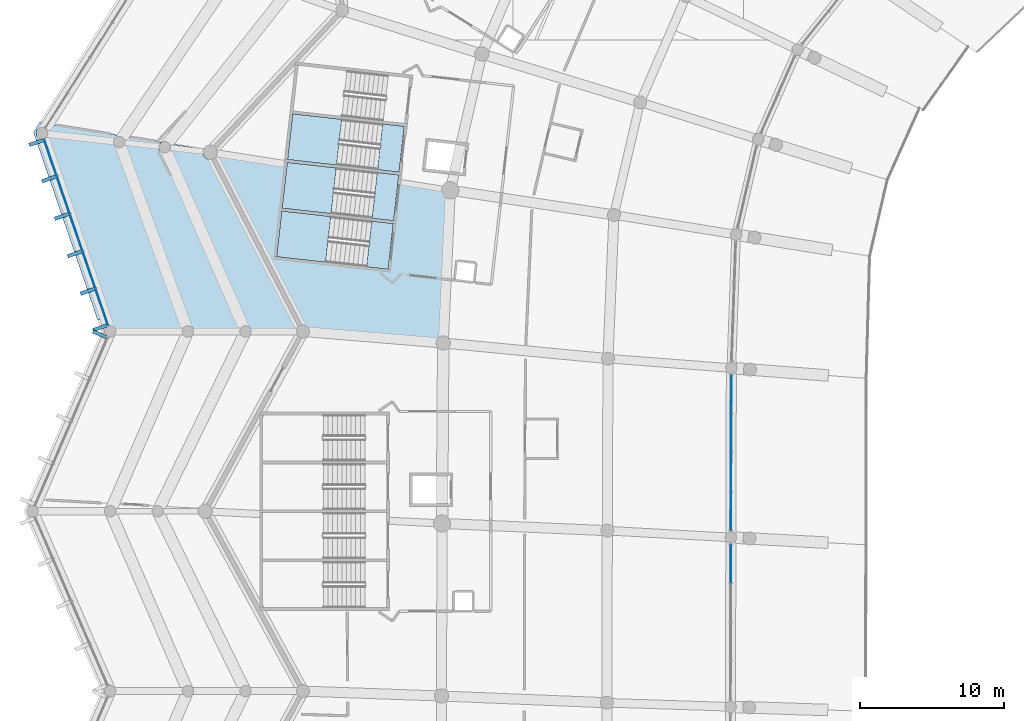
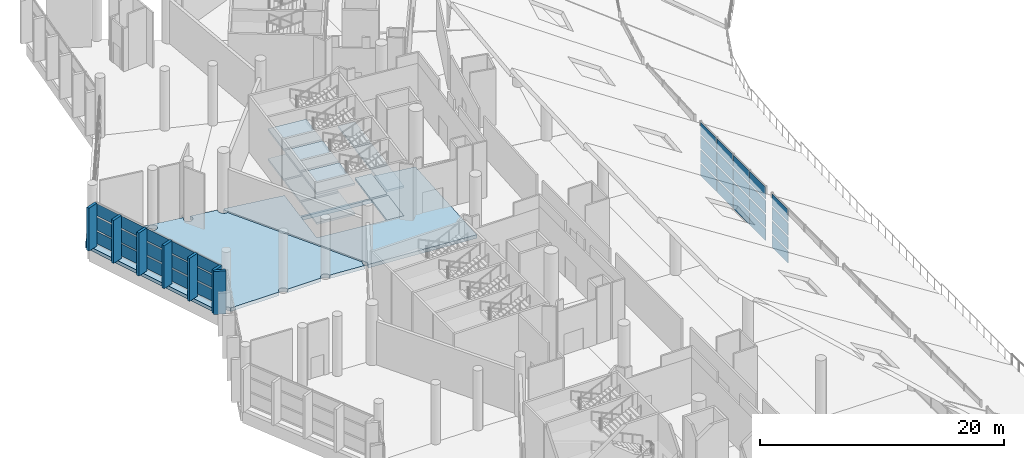
# One storey, part 119 of 249: 42 plates, 13 slabs, 6 elements without a shape of their own.
"""IFC4 building model written with IfcOpenShell, lengths in metres."""

import ifcopenshell
import ifcopenshell.guid

model = None  # the IFC model being written
_history = None  # IfcOwnerHistory: only IFC2X3 demands one
_inside = {}  # id of a spatial element -> (the spatial element, [elements in it])
_under = {}  # id of a project, library or spatial element -> (it, [spatial elements below it])
_declared = {}  # id of a project -> (the project, [libraries it declares])
_typed = {}  # id of a type object -> (the type object, [elements of that type])
_made_of = {}  # id of a material, layer set ... -> (it, [elements and type objects made of it])


def new_model(schema):
    """Start an empty IFC model of exactly this schema.

    Asked for "IFC4X3", IfcOpenShell would pick the latest addendum, in which some entities
    have other attributes; the version numbers below select the first issue.
    IFC2X3 requires an IfcOwnerHistory on every rooted entity: one is made here for all.
    """
    global model, _history
    if schema == "IFC4X3":
        model = ifcopenshell.file(schema_version=(4, 3, 0, 0))
    else:
        model = ifcopenshell.file(schema=schema)
    _inside.clear()
    _under.clear()
    _declared.clear()
    _typed.clear()
    _made_of.clear()
    _history = None
    if model.schema == "IFC2X3":
        org = make("IfcOrganization", Name="unknown")
        user = make(
            "IfcPersonAndOrganization",
            ThePerson=make("IfcPerson", FamilyName="unknown"),
            TheOrganization=org,
        )
        app = make(
            "IfcApplication",
            ApplicationDeveloper=org,
            Version="unknown",
            ApplicationFullName="unknown",
            ApplicationIdentifier="unknown",
        )
        _history = make(
            "IfcOwnerHistory",
            OwningUser=user,
            OwningApplication=app,
            ChangeAction="ADDED",
            CreationDate=0,
        )
    return model


def make(cls, **values):
    """One entity of the class cls with the attributes given. An attribute that is None is left unset."""
    return model.create_entity(
        cls, **{name: value for name, value in values.items() if value is not None}
    )


def rooted(cls, **values):
    """An entity with a GlobalId (a new one), such as an element, a storey or a relation."""
    return make(cls, GlobalId=ifcopenshell.guid.new(), OwnerHistory=_history, **values)


def si_unit(unit_type, name, prefix=None):
    """IfcSIUnit, for example si_unit("LENGTHUNIT", "METRE", prefix="MILLI")."""
    return make("IfcSIUnit", UnitType=unit_type, Prefix=prefix, Name=name)


def assignment(units):
    """IfcUnitAssignment: the units of a project."""
    return None if units is None else make("IfcUnitAssignment", Units=units)


def point(xyz):
    """IfcCartesianPoint."""
    return None if xyz is None else make("IfcCartesianPoint", Coordinates=xyz)


def direction(xyz):
    """IfcDirection."""
    return None if xyz is None else make("IfcDirection", DirectionRatios=xyz)


def frame(location, z_axis=None, x_axis=None):
    """IfcAxis2Placement3D, a coordinate frame: its origin and axes. An axis left out is left unset."""
    return make(
        "IfcAxis2Placement3D",
        Location=point(location),
        Axis=direction(z_axis),
        RefDirection=direction(x_axis),
    )


def frame_2d(location, x_axis=None):
    """IfcAxis2Placement2D, a coordinate frame in the plane: its origin and x axis."""
    return make(
        "IfcAxis2Placement2D", Location=point(location), RefDirection=direction(x_axis)
    )


def origin():
    """The frame at (0, 0, 0) with its axes left unset."""
    return frame((0.0, 0.0, 0.0))


def origin_2d():
    """The frame at (0, 0) in the plane with its x axis left unset."""
    return frame_2d((0.0, 0.0))


def place(relative_to, where):
    """IfcLocalPlacement: puts the frame where relative to a parent placement (None: the world)."""
    return make(
        "IfcLocalPlacement", PlacementRelTo=relative_to, RelativePlacement=where
    )


def context(
    kind, dimensions, precision=None, world=None, true_north=None, identifier=None
):
    """IfcGeometricRepresentationContext, for example the 3D "Model" context."""
    return make(
        "IfcGeometricRepresentationContext",
        ContextIdentifier=identifier,
        ContextType=kind,
        CoordinateSpaceDimension=dimensions,
        Precision=precision,
        WorldCoordinateSystem=world,
        TrueNorth=true_north,
    )


def subcontext(parent, identifier, kind, view, scale=None):
    """IfcGeometricRepresentationSubContext, for example "Body" below "Model"."""
    return make(
        "IfcGeometricRepresentationSubContext",
        ContextIdentifier=identifier,
        ContextType=kind,
        ParentContext=parent,
        TargetScale=scale,
        TargetView=view,
    )


def project(units=None, contexts=None):
    """IfcProject with its units and contexts."""
    return rooted(
        "IfcProject",
        Name="project",
        RepresentationContexts=contexts,
        UnitsInContext=assignment(units),
    )


def spatial(cls, under=None, at=None, **own):
    """A site, building, storey or space (cls), placed at a placement, below another one or the project."""
    s = rooted(cls, ObjectPlacement=at, **own)
    if under is not None:
        _under.setdefault(under.id(), (under, []))[1].append(s)
    return s


def polyline(points):
    """IfcPolyline through the points."""
    return make("IfcPolyline", Points=[point(p) for p in points])


def profile(cls, at=None, kind="AREA", **sizes):
    """A parametric profile (cls). Its sizes go by their IFC names, for example OverallWidth=200.0."""
    return make(cls, ProfileType=kind, Position=at, **sizes)


def rectangle(**sizes):
    """IfcRectangleProfileDef."""
    return profile("IfcRectangleProfileDef", **sizes)


def outline(outer, holes=None, kind="AREA"):
    """IfcArbitraryClosedProfileDef: a profile drawn as a closed curve; with holes, ...WithVoids."""
    if holes is None:
        return make("IfcArbitraryClosedProfileDef", ProfileType=kind, OuterCurve=outer)
    return make(
        "IfcArbitraryProfileDefWithVoids",
        ProfileType=kind,
        OuterCurve=outer,
        InnerCurves=holes,
    )


def extrude(swept, where, along, depth):
    """IfcExtrudedAreaSolid: the profile swept, set in the frame where, extruded along a direction by depth."""
    return make(
        "IfcExtrudedAreaSolid",
        SweptArea=swept,
        Position=where,
        ExtrudedDirection=direction(along),
        Depth=depth,
    )


def shape(context_of_items, identifier, shape_type, items):
    """IfcShapeRepresentation: the items that make up one representation, for example the "Body"."""
    return make(
        "IfcShapeRepresentation",
        ContextOfItems=context_of_items,
        RepresentationIdentifier=identifier,
        RepresentationType=shape_type,
        Items=items,
    )


def material(Name=None, Category=None):
    """IfcMaterial."""
    return make("IfcMaterial", Name=Name, Category=Category)


def layer(
    of_material, thickness, ventilated=None, Name=None, Category=None, Priority=None
):
    """IfcMaterialLayer: one layer of a wall or slab, of a material (None: an air gap)."""
    return make(
        "IfcMaterialLayer",
        Material=of_material,
        LayerThickness=thickness,
        IsVentilated=ventilated,
        Name=Name,
        Category=Category,
        Priority=Priority,
    )


def layer_set(layers, Name=None):
    """IfcMaterialLayerSet."""
    return make("IfcMaterialLayerSet", MaterialLayers=layers, LayerSetName=Name)


def made_of(thing, what):
    """Note that an element or type object is made of a material, layer set ...; save() writes the relation."""
    if what is not None:
        _made_of.setdefault(what.id(), (what, []))[1].append(thing)
    return thing


def type_object(cls, material=None, **own):
    """A type object (cls), such as IfcWallType, which elements share."""
    return made_of(rooted(cls, **own), material)


def element(
    cls,
    number,
    at=None,
    inside=None,
    cuts=None,
    type_object=None,
    material=None,
    context=None,
    identifier="Body",
    shape_type=None,
    held_by="IfcProductDefinitionShape",
    body=None,
    shapes=None,
    **own,
):
    """One element of the class cls, such as IfcWall. Its Tag is "e" and its number.

    at: its placement. inside: the storey or other place that contains it. cuts: it is an
    opening in that element (IfcRelVoidsElement). A single representation is given by context,
    identifier, shape_type and body (its items); several are given by shapes. held_by: the class
    of the entity that holds the representations. save() writes the other relations.
    """
    e = rooted(cls, Tag="e%d" % number, ObjectPlacement=at, **own)
    if body is not None:
        shapes = [shape(context, identifier, shape_type, body)]
    if shapes is not None:
        e.Representation = make(held_by, Representations=shapes)
    if inside is not None:
        _inside.setdefault(inside.id(), (inside, []))[1].append(e)
    if cuts is not None:
        rooted(
            "IfcRelVoidsElement", RelatingBuildingElement=cuts, RelatedOpeningElement=e
        )
    if type_object is not None:
        _typed.setdefault(type_object.id(), (type_object, []))[1].append(e)
    return made_of(e, material)


def aggregate(whole, parts):
    """IfcRelAggregates: a whole, such as a stair, and the parts it consists of."""
    return rooted("IfcRelAggregates", RelatingObject=whole, RelatedObjects=parts)


def save(model, path):
    """Write the relations noted so far, then the file.

    IfcRelAggregates (storeys below a building ...), IfcRelContainedInSpatialStructure (elements
    in a storey), IfcRelDefinesByType, IfcRelAssociatesMaterial and IfcRelDeclares: one each for
    every whole, place, type object, material and project.
    """
    for whole, parts in _under.values():
        aggregate(whole, parts)
    for where, things in _inside.values():
        rooted(
            "IfcRelContainedInSpatialStructure",
            RelatedElements=things,
            RelatingStructure=where,
        )
    for kind, things in _typed.values():
        rooted("IfcRelDefinesByType", RelatedObjects=things, RelatingType=kind)
    for what, things in _made_of.values():
        rooted("IfcRelAssociatesMaterial", RelatedObjects=things, RelatingMaterial=what)
    for by, libraries in _declared.values():
        rooted("IfcRelDeclares", RelatingContext=by, RelatedDefinitions=libraries)
    model.write(path)


model = new_model("IFC4")

# Units and contexts
model_context = context("Model", 3, precision=1e-05, world=origin(), true_north=direction((0.0, 1.0)))
body_context = subcontext(model_context, "Body", "Model", "MODEL_VIEW")
ifc_project = project(units=[si_unit("LENGTHUNIT", "METRE"), si_unit("AREAUNIT", "SQUARE_METRE"), si_unit("VOLUMEUNIT", "CUBIC_METRE"), si_unit("PLANEANGLEUNIT", "RADIAN"), si_unit("MASSUNIT", "GRAM", prefix="KILO")], contexts=[model_context])

# Site, building, storey
site_placement = place(None, origin())
site = spatial("IfcSite", under=ifc_project, at=site_placement, CompositionType="ELEMENT")
building_placement = place(site_placement, origin())
building = spatial("IfcBuilding", under=site, at=building_placement, Name="Meseta Stadium", CompositionType="ELEMENT")
storey_placement = place(building_placement, frame((0.0, 0.0, 12.0)))
storey = spatial("IfcBuildingStorey", under=building, at=storey_placement, Name="L02", CompositionType="ELEMENT", Elevation=12.0)

# Curtain wall, plates
ifc_material_1 = material(Name="Aluminium", Category="aluminium")
ifc_layer_1 = layer(ifc_material_1, 0.199951171875)
ifc_layer_set_1 = layer_set([ifc_layer_1], Name="Suite glazing curtain wall")
curtain_wall_type_1 = type_object("IfcCurtainWallType", Name="Suite glazing curtain wall", PredefinedType="NOTDEFINED", material=ifc_layer_set_1)
curtain_wall_1_placement = place(storey_placement, origin())
curtain_wall_1 = element("IfcCurtainWall", 1, at=curtain_wall_1_placement, inside=storey, type_object=curtain_wall_type_1, Name="Suite glazing bay 29", PredefinedType="NOTDEFINED")
ifc_material_2 = material(Name="Glass", Category="glass")
ifc_layer_2 = layer(ifc_material_2, 0.035888671875)
ifc_layer_set_2 = layer_set([ifc_layer_2], Name="CW glass panel 36")
plate_type_1 = type_object("IfcPlateType", Name="CW glass panel 36", PredefinedType="CURTAIN_PANEL", material=ifc_layer_set_2)
plate_1_placement = place(storey_placement, frame((-64.835205078125, 39.357421875, 0.14990234375), z_axis=(0.0, 0.0, 1.0), x_axis=(-0.002910007458, -0.999995765919, 0.0)))
plate_1 = element("IfcPlate", 2, at=plate_1_placement, type_object=plate_type_1, Name="CWS panel 1.1", PredefinedType="CURTAIN_PANEL", context=body_context, shape_type="SweptSolid", body=[
    extrude(rectangle(XDim=2.61279296875, YDim=0.035888671875, at=origin_2d()), origin(), (0.0, 0.0, 1.0), 1.1875),
])
plate_2_placement = place(storey_placement, frame((-64.835205078125, 39.357421875, 1.4873046875), z_axis=(0.0, 0.0, 1.0), x_axis=(-0.002910007458, -0.999995765919, 0.0)))
plate_2 = element("IfcPlate", 3, at=plate_2_placement, type_object=plate_type_1, Name="CWS panel 1.2", PredefinedType="CURTAIN_PANEL", context=body_context, shape_type="SweptSolid", body=[
    extrude(rectangle(XDim=2.61279296875, YDim=0.035888671875, at=origin_2d()), origin(), (0.0, 0.0, 1.0), 1.262451171875),
])
plate_3_placement = place(storey_placement, frame((-64.835205078125, 39.357421875, 2.89990234375), z_axis=(0.0, 0.0, 1.0), x_axis=(-0.002910007458, -0.999995765919, 0.0)))
plate_3 = element("IfcPlate", 4, at=plate_3_placement, type_object=plate_type_1, Name="CWS panel 1.3", PredefinedType="CURTAIN_PANEL", context=body_context, shape_type="SweptSolid", body=[
    extrude(rectangle(XDim=2.61279296875, YDim=0.035888671875, at=origin_2d()), origin(), (0.0, 0.0, 1.0), 1.262451171875),
])
plate_4_placement = place(storey_placement, frame((-64.835205078125, 39.357421875, 4.3125), z_axis=(0.0, 0.0, 1.0), x_axis=(-0.002910007458, -0.999995765919, 0.0)))
plate_4 = element("IfcPlate", 5, at=plate_4_placement, type_object=plate_type_1, Name="CWS panel 1.4", PredefinedType="CURTAIN_PANEL", context=body_context, shape_type="SweptSolid", body=[
    extrude(rectangle(XDim=2.61279296875, YDim=0.035888671875, at=origin_2d()), origin(), (0.0, 0.0, 1.0), 1.1875),
])
plate_5_placement = place(storey_placement, frame((-64.843017578125, 36.669677734375, 0.14990234375), z_axis=(0.0, 0.0, 1.0), x_axis=(-0.002910007458, -0.999995765919, 0.0)))
plate_5 = element("IfcPlate", 6, at=plate_5_placement, type_object=plate_type_1, Name="CWS panel 2.1", PredefinedType="CURTAIN_PANEL", context=body_context, shape_type="SweptSolid", body=[
    extrude(rectangle(XDim=2.642822265625, YDim=0.035888671875, at=origin_2d()), origin(), (0.0, 0.0, 1.0), 1.1875),
])
plate_6_placement = place(storey_placement, frame((-64.843017578125, 36.669677734375, 1.4873046875), z_axis=(0.0, 0.0, 1.0), x_axis=(-0.002910007458, -0.999995765919, 0.0)))
plate_6 = element("IfcPlate", 7, at=plate_6_placement, type_object=plate_type_1, Name="CWS panel 2.2", PredefinedType="CURTAIN_PANEL", context=body_context, shape_type="SweptSolid", body=[
    extrude(rectangle(XDim=2.642822265625, YDim=0.035888671875, at=origin_2d()), origin(), (0.0, 0.0, 1.0), 1.262451171875),
])
plate_7_placement = place(storey_placement, frame((-64.843017578125, 36.669677734375, 2.89990234375), z_axis=(0.0, 0.0, 1.0), x_axis=(-0.002910007458, -0.999995765919, 0.0)))
plate_7 = element("IfcPlate", 8, at=plate_7_placement, type_object=plate_type_1, Name="CWS panel 2.3", PredefinedType="CURTAIN_PANEL", context=body_context, shape_type="SweptSolid", body=[
    extrude(rectangle(XDim=2.642822265625, YDim=0.035888671875, at=origin_2d()), origin(), (0.0, 0.0, 1.0), 1.262451171875),
])
plate_8_placement = place(storey_placement, frame((-64.843017578125, 36.669677734375, 4.3125), z_axis=(0.0, 0.0, 1.0), x_axis=(-0.002910007458, -0.999995765919, 0.0)))
plate_8 = element("IfcPlate", 9, at=plate_8_placement, type_object=plate_type_1, Name="CWS panel 2.4", PredefinedType="CURTAIN_PANEL", context=body_context, shape_type="SweptSolid", body=[
    extrude(rectangle(XDim=2.642822265625, YDim=0.035888671875, at=origin_2d()), origin(), (0.0, 0.0, 1.0), 1.1875),
])
plate_9_placement = place(storey_placement, frame((-64.85107421875, 33.967041015625, 0.14990234375), z_axis=(0.0, 0.0, 1.0), x_axis=(-0.002910007458, -0.999995765919, 0.0)))
plate_9 = element("IfcPlate", 10, at=plate_9_placement, type_object=plate_type_1, Name="CWS panel 3.1", PredefinedType="CURTAIN_PANEL", context=body_context, shape_type="SweptSolid", body=[
    extrude(rectangle(XDim=2.642822265625, YDim=0.035888671875, at=origin_2d()), origin(), (0.0, 0.0, 1.0), 1.1875),
])
plate_10_placement = place(storey_placement, frame((-64.85107421875, 33.967041015625, 1.4873046875), z_axis=(0.0, 0.0, 1.0), x_axis=(-0.002910007458, -0.999995765919, 0.0)))
plate_10 = element("IfcPlate", 11, at=plate_10_placement, type_object=plate_type_1, Name="CWS panel 3.2", PredefinedType="CURTAIN_PANEL", context=body_context, shape_type="SweptSolid", body=[
    extrude(rectangle(XDim=2.642822265625, YDim=0.035888671875, at=origin_2d()), origin(), (0.0, 0.0, 1.0), 1.262451171875),
])
plate_11_placement = place(storey_placement, frame((-64.85107421875, 33.967041015625, 2.89990234375), z_axis=(0.0, 0.0, 1.0), x_axis=(-0.002910007458, -0.999995765919, 0.0)))
plate_11 = element("IfcPlate", 12, at=plate_11_placement, type_object=plate_type_1, Name="CWS panel 3.3", PredefinedType="CURTAIN_PANEL", context=body_context, shape_type="SweptSolid", body=[
    extrude(rectangle(XDim=2.642822265625, YDim=0.035888671875, at=origin_2d()), origin(), (0.0, 0.0, 1.0), 1.262451171875),
])
plate_12_placement = place(storey_placement, frame((-64.85107421875, 33.967041015625, 4.3125), z_axis=(0.0, 0.0, 1.0), x_axis=(-0.002910007458, -0.999995765919, 0.0)))
plate_12 = element("IfcPlate", 13, at=plate_12_placement, type_object=plate_type_1, Name="CWS panel 3.4", PredefinedType="CURTAIN_PANEL", context=body_context, shape_type="SweptSolid", body=[
    extrude(rectangle(XDim=2.642822265625, YDim=0.035888671875, at=origin_2d()), origin(), (0.0, 0.0, 1.0), 1.1875),
])
plate_13_placement = place(storey_placement, frame((-64.85888671875, 31.279296875, 0.14990234375), z_axis=(0.0, 0.0, 1.0), x_axis=(-0.002910007458, -0.999995765919, 0.0)))
plate_13 = element("IfcPlate", 14, at=plate_13_placement, type_object=plate_type_1, Name="CWS panel 4.1", PredefinedType="CURTAIN_PANEL", context=body_context, shape_type="SweptSolid", body=[
    extrude(rectangle(XDim=2.61279296875, YDim=0.035888671875, at=origin_2d()), origin(), (0.0, 0.0, 1.0), 1.1875),
])
plate_14_placement = place(storey_placement, frame((-64.85888671875, 31.279296875, 1.4873046875), z_axis=(0.0, 0.0, 1.0), x_axis=(-0.002910007458, -0.999995765919, 0.0)))
plate_14 = element("IfcPlate", 15, at=plate_14_placement, type_object=plate_type_1, Name="CWS panel 4.2", PredefinedType="CURTAIN_PANEL", context=body_context, shape_type="SweptSolid", body=[
    extrude(rectangle(XDim=2.61279296875, YDim=0.035888671875, at=origin_2d()), origin(), (0.0, 0.0, 1.0), 1.262451171875),
])
plate_15_placement = place(storey_placement, frame((-64.85888671875, 31.279296875, 2.89990234375), z_axis=(0.0, 0.0, 1.0), x_axis=(-0.002910007458, -0.999995765919, 0.0)))
plate_15 = element("IfcPlate", 16, at=plate_15_placement, type_object=plate_type_1, Name="CWS panel 4.3", PredefinedType="CURTAIN_PANEL", context=body_context, shape_type="SweptSolid", body=[
    extrude(rectangle(XDim=2.61279296875, YDim=0.035888671875, at=origin_2d()), origin(), (0.0, 0.0, 1.0), 1.262451171875),
])
plate_16_placement = place(storey_placement, frame((-64.85888671875, 31.279296875, 4.3125), z_axis=(0.0, 0.0, 1.0), x_axis=(-0.002910007458, -0.999995765919, 0.0)))
plate_16 = element("IfcPlate", 17, at=plate_16_placement, type_object=plate_type_1, Name="CWS panel 4.4", PredefinedType="CURTAIN_PANEL", context=body_context, shape_type="SweptSolid", body=[
    extrude(rectangle(XDim=2.61279296875, YDim=0.035888671875, at=origin_2d()), origin(), (0.0, 0.0, 1.0), 1.1875),
])
aggregate(curtain_wall_1, [plate_1, plate_2, plate_3, plate_4, plate_5, plate_6, plate_7, plate_8, plate_9, plate_10, plate_11, plate_12, plate_13, plate_14, plate_15, plate_16])

curtain_wall_2_placement = place(storey_placement, origin())
curtain_wall_2 = element("IfcCurtainWall", 18, at=curtain_wall_2_placement, inside=storey, type_object=curtain_wall_type_1, Name="Suite glazing bay 30", PredefinedType="NOTDEFINED")
plate_17_placement = place(storey_placement, frame((-64.86767578125, 27.5869140625, 0.14990234375), z_axis=(0.0, 0.0, 1.0), x_axis=(-0.001946685349, -0.999998105206, 0.0)))
plate_17 = element("IfcPlate", 19, at=plate_17_placement, type_object=plate_type_1, Name="CWS panel 1.1", PredefinedType="CURTAIN_PANEL", context=body_context, shape_type="SweptSolid", body=[
    extrude(rectangle(XDim=2.613525390625, YDim=0.035888671875, at=origin_2d()), origin(), (0.0, 0.0, 1.0), 1.1875),
])
plate_18_placement = place(storey_placement, frame((-64.86767578125, 27.5869140625, 1.4873046875), z_axis=(0.0, 0.0, 1.0), x_axis=(-0.001946685349, -0.999998105206, 0.0)))
plate_18 = element("IfcPlate", 20, at=plate_18_placement, type_object=plate_type_1, Name="CWS panel 1.2", PredefinedType="CURTAIN_PANEL", context=body_context, shape_type="SweptSolid", body=[
    extrude(rectangle(XDim=2.613525390625, YDim=0.035888671875, at=origin_2d()), origin(), (0.0, 0.0, 1.0), 1.262451171875),
])
plate_19_placement = place(storey_placement, frame((-64.86767578125, 27.5869140625, 2.89990234375), z_axis=(0.0, 0.0, 1.0), x_axis=(-0.001946685349, -0.999998105206, 0.0)))
plate_19 = element("IfcPlate", 21, at=plate_19_placement, type_object=plate_type_1, Name="CWS panel 1.3", PredefinedType="CURTAIN_PANEL", context=body_context, shape_type="SweptSolid", body=[
    extrude(rectangle(XDim=2.613525390625, YDim=0.035888671875, at=origin_2d()), origin(), (0.0, 0.0, 1.0), 1.262451171875),
])
plate_20_placement = place(storey_placement, frame((-64.86767578125, 27.5869140625, 4.3125), z_axis=(0.0, 0.0, 1.0), x_axis=(-0.001946685349, -0.999998105206, 0.0)))
plate_20 = element("IfcPlate", 22, at=plate_20_placement, type_object=plate_type_1, Name="CWS panel 1.4", PredefinedType="CURTAIN_PANEL", context=body_context, shape_type="SweptSolid", body=[
    extrude(rectangle(XDim=2.613525390625, YDim=0.035888671875, at=origin_2d()), origin(), (0.0, 0.0, 1.0), 1.1875),
])
aggregate(curtain_wall_2, [plate_17, plate_18, plate_19, plate_20])

# Slabs
ifc_material_3 = material(Name="Concrete C40/50", Category="concrete")
ifc_layer_3 = layer(ifc_material_3, 0.35009765625)
ifc_layer_set_3 = layer_set([ifc_layer_3], Name="Floor slab 350")
slab_type_1 = type_object("IfcSlabType", Name="Floor slab 350", PredefinedType="FLOOR", material=ifc_layer_set_3)
slab_1_placement = place(storey_placement, frame((0.0, 0.0, -0.35009765625)))
element("IfcSlab", 23, at=slab_1_placement, inside=storey, type_object=slab_type_1, Name="Floor slab L02 sector 28 panel 03", PredefinedType="FLOOR", context=body_context, shape_type="SweptSolid", body=[
    extrude(outline(polyline([(-87.98779296875, 54.252197265625), (-88.30419921875, 51.44580078125), (-96.05517578125, 52.319091796875), (-95.697509765625, 55.493896484375), (-100.927490234375, 56.336181640625), (-101.0517578125, 56.202880859375), (-94.60009765625, 43.75), (-94.736328125, 43.49951171875), (-84.85546875, 42.7412109375), (-84.85400390625, 42.948486328125), (-84.36328125, 53.5654296875), (-84.34033203125, 53.664794921875), (-87.98779296875, 54.252197265625)]), holes=[polyline([(-88.684814453125, 48.06689453125), (-96.435791015625, 48.9404296875), (-96.077392578125, 52.1201171875), (-88.326416015625, 51.246826171875), (-88.684814453125, 48.06689453125)])]), origin(), (0.0, 0.0, 1.0), 0.35009765625),
])
slab_2_placement = place(storey_placement, frame((0.0, 0.0, -0.35009765625)))
element("IfcSlab", 24, at=slab_2_placement, inside=storey, type_object=slab_type_1, Name="Ring floor slab L02 4 part 1 panel 03", PredefinedType="FLOOR", context=body_context, shape_type="SweptSolid", body=[
    extrude(outline(polyline([(-98.210205078125, 43.8544921875), (-98.196533203125, 43.75), (-98.00048828125, 43.75), (-94.989990234375, 43.51904296875), (-94.9931640625, 43.523193359375), (-95.038330078125, 43.632568359375), (-95.053955078125, 43.75), (-95.038330078125, 43.867431640625), (-94.9931640625, 43.976806640625), (-94.929443359375, 44.059814453125), (-100.965087890625, 55.7099609375), (-101.0517578125, 55.698486328125), (-101.18212890625, 55.7158203125), (-101.3037109375, 55.76611328125), (-101.408203125, 55.84619140625), (-101.48828125, 55.95068359375), (-101.538818359375, 56.072265625), (-101.555908203125, 56.202880859375), (-101.538818359375, 56.33349609375), (-101.49951171875, 56.42822265625), (-103.90478515625, 56.815673828125), (-103.862548828125, 56.760498046875), (-103.822265625, 56.663330078125), (-103.80859375, 56.558837890625), (-103.822265625, 56.45458984375), (-103.862548828125, 56.357177734375), (-103.9267578125, 56.273681640625), (-104.01025390625, 56.20947265625), (-104.107666015625, 56.169189453125), (-104.2119140625, 56.155517578125), (-104.31640625, 56.169189453125), (-104.413818359375, 56.20947265625), (-104.497314453125, 56.273681640625), (-104.561279296875, 56.357177734375), (-104.601806640625, 56.45458984375), (-104.615478515625, 56.558837890625), (-104.601806640625, 56.663330078125), (-104.561279296875, 56.760498046875), (-104.497314453125, 56.84423828125), (-104.42529296875, 56.8994140625), (-112.906982421875, 58.265380859375), (-113.334716796875, 57.5869140625), (-108.885986328125, 44.58544921875), (-108.271240234375, 44.538330078125), (-108.13037109375, 44.12890625), (-108.1044921875, 44.1396484375), (-108.0, 44.153564453125), (-107.8955078125, 44.1396484375), (-107.79833984375, 44.099365234375), (-107.714599609375, 44.035400390625), (-107.650634765625, 43.95166015625), (-107.6103515625, 43.8544921875), (-107.596435546875, 43.75), (-103.00341796875, 43.75), (-102.98974609375, 43.8544921875), (-102.949462890625, 43.95166015625), (-102.88525390625, 44.035400390625), (-102.8017578125, 44.099365234375), (-102.704345703125, 44.1396484375), (-102.60009765625, 44.153564453125), (-102.49560546875, 44.1396484375), (-102.398193359375, 44.099365234375), (-102.314697265625, 44.035400390625), (-102.25048828125, 43.95166015625), (-102.210205078125, 43.8544921875), (-102.196533203125, 43.75), (-99.00341796875, 43.75), (-98.98974609375, 43.8544921875), (-98.949462890625, 43.95166015625), (-98.88525390625, 44.035400390625), (-98.8017578125, 44.099365234375), (-98.704345703125, 44.1396484375), (-98.60009765625, 44.153564453125), (-98.49560546875, 44.1396484375), (-98.398193359375, 44.099365234375), (-98.314697265625, 44.035400390625), (-98.25048828125, 43.95166015625), (-98.210205078125, 43.8544921875)]), holes=[polyline([(-107.57421875, 56.565673828125), (-107.65771484375, 56.629638671875), (-107.7216796875, 56.71337890625), (-107.76220703125, 56.810546875), (-107.77587890625, 56.9150390625), (-107.76220703125, 57.019287109375), (-107.7216796875, 57.11669921875), (-107.65771484375, 57.2001953125), (-107.57421875, 57.264404296875), (-107.476806640625, 57.3046875), (-107.372314453125, 57.318603515625), (-107.267822265625, 57.3046875), (-107.170654296875, 57.264404296875), (-107.087158203125, 57.2001953125), (-107.02294921875, 57.11669921875), (-106.982666015625, 57.019287109375), (-106.968994140625, 56.9150390625), (-106.982666015625, 56.810546875), (-107.02294921875, 56.71337890625), (-107.087158203125, 56.629638671875), (-107.170654296875, 56.565673828125), (-107.267822265625, 56.525390625), (-107.372314453125, 56.51171875), (-107.476806640625, 56.525390625), (-107.57421875, 56.565673828125)]), polyline([(-112.3486328125, 57.415283203125), (-112.388916015625, 57.31787109375), (-112.453125, 57.234375), (-112.53662109375, 57.170166015625), (-112.634033203125, 57.1298828125), (-112.73828125, 57.1162109375), (-112.8427734375, 57.1298828125), (-112.940185546875, 57.170166015625), (-113.023681640625, 57.234375), (-113.087890625, 57.31787109375), (-113.128173828125, 57.415283203125), (-113.141845703125, 57.51953125), (-113.128173828125, 57.6240234375), (-113.087890625, 57.72119140625), (-113.023681640625, 57.804931640625), (-112.940185546875, 57.868896484375), (-112.8427734375, 57.9091796875), (-112.73828125, 57.923095703125), (-112.634033203125, 57.9091796875), (-112.53662109375, 57.868896484375), (-112.453125, 57.804931640625), (-112.388916015625, 57.72119140625), (-112.3486328125, 57.6240234375), (-112.3349609375, 57.51953125), (-112.3486328125, 57.415283203125)])]), origin(), (0.0, 0.0, 1.0), 0.35009765625),
])

# Curtain wall, plates
ifc_material_4 = material(Name="Aluminium", Category="aluminium")
ifc_layer_4 = layer(ifc_material_4, 0.199951171875)
ifc_layer_set_4 = layer_set([ifc_layer_4], Name="Ring shopfront curtain wall")
curtain_wall_type_2 = type_object("IfcCurtainWallType", Name="Ring shopfront curtain wall", PredefinedType="NOTDEFINED", material=ifc_layer_set_4)
curtain_wall_3_placement = place(storey_placement, origin())
curtain_wall_3 = element("IfcCurtainWall", 25, at=curtain_wall_3_placement, inside=storey, type_object=curtain_wall_type_2, Name="Ring glazing L02 F28", PredefinedType="NOTDEFINED")
ifc_material_5 = material(Name="Glass", Category="glass")
ifc_layer_5 = layer(ifc_material_5, 0.035888671875)
ifc_layer_set_5 = layer_set([ifc_layer_5], Name="Ring CW glass panel 36")
plate_type_2 = type_object("IfcPlateType", Name="Ring CW glass panel 36", PredefinedType="CURTAIN_PANEL", material=ifc_layer_set_5)
plate_21_placement = place(storey_placement, frame((-112.155517578125, 55.825927734375, 0.14990234375), z_axis=(0.0, 0.0, 1.0), x_axis=(0.325385990532, -0.945581280042, 0.0)))
plate_21 = element("IfcPlate", 26, at=plate_21_placement, type_object=plate_type_2, Name="CWR1 panel 1.1", PredefinedType="CURTAIN_PANEL", context=body_context, shape_type="SweptSolid", body=[
    extrude(rectangle(XDim=2.662353515625, YDim=0.035888671875, at=origin_2d()), origin(), (0.0, 0.0, 1.0), 1.208251953125),
])
plate_22_placement = place(storey_placement, frame((-112.155517578125, 55.825927734375, 1.50830078125), z_axis=(0.0, 0.0, 1.0), x_axis=(0.325385990532, -0.945581280042, 0.0)))
plate_22 = element("IfcPlate", 27, at=plate_22_placement, type_object=plate_type_2, Name="CWR1 panel 1.2", PredefinedType="CURTAIN_PANEL", context=body_context, shape_type="SweptSolid", body=[
    extrude(rectangle(XDim=2.662353515625, YDim=0.035888671875, at=origin_2d()), origin(), (0.0, 0.0, 1.0), 1.283447265625),
])
plate_23_placement = place(storey_placement, frame((-112.155517578125, 55.825927734375, 2.94189453125), z_axis=(0.0, 0.0, 1.0), x_axis=(0.325385990532, -0.945581280042, 0.0)))
plate_23 = element("IfcPlate", 28, at=plate_23_placement, type_object=plate_type_2, Name="CWR1 panel 1.3", PredefinedType="CURTAIN_PANEL", context=body_context, shape_type="SweptSolid", body=[
    extrude(rectangle(XDim=2.662353515625, YDim=0.035888671875, at=origin_2d()), origin(), (0.0, 0.0, 1.0), 1.208251953125),
])
plate_24_placement = place(storey_placement, frame((-111.264892578125, 53.237548828125, 0.14990234375), z_axis=(0.0, 0.0, 1.0), x_axis=(0.325385990532, -0.945581280042, 0.0)))
plate_24 = element("IfcPlate", 29, at=plate_24_placement, type_object=plate_type_2, Name="CWR1 panel 2.1", PredefinedType="CURTAIN_PANEL", context=body_context, shape_type="SweptSolid", body=[
    extrude(rectangle(XDim=2.6923828125, YDim=0.035888671875, at=origin_2d()), origin(), (0.0, 0.0, 1.0), 1.208251953125),
])
plate_25_placement = place(storey_placement, frame((-111.264892578125, 53.237548828125, 1.50830078125), z_axis=(0.0, 0.0, 1.0), x_axis=(0.325385990532, -0.945581280042, 0.0)))
plate_25 = element("IfcPlate", 30, at=plate_25_placement, type_object=plate_type_2, Name="CWR1 panel 2.2", PredefinedType="CURTAIN_PANEL", context=body_context, shape_type="SweptSolid", body=[
    extrude(rectangle(XDim=2.6923828125, YDim=0.035888671875, at=origin_2d()), origin(), (0.0, 0.0, 1.0), 1.283447265625),
])
plate_26_placement = place(storey_placement, frame((-111.264892578125, 53.237548828125, 2.94189453125), z_axis=(0.0, 0.0, 1.0), x_axis=(0.325385990532, -0.945581280042, 0.0)))
plate_26 = element("IfcPlate", 31, at=plate_26_placement, type_object=plate_type_2, Name="CWR1 panel 2.3", PredefinedType="CURTAIN_PANEL", context=body_context, shape_type="SweptSolid", body=[
    extrude(rectangle(XDim=2.6923828125, YDim=0.035888671875, at=origin_2d()), origin(), (0.0, 0.0, 1.0), 1.208251953125),
])
plate_27_placement = place(storey_placement, frame((-110.369140625, 50.634765625, 0.14990234375), z_axis=(0.0, 0.0, 1.0), x_axis=(0.325385990532, -0.945581280042, 0.0)))
plate_27 = element("IfcPlate", 32, at=plate_27_placement, type_object=plate_type_2, Name="CWR1 panel 3.1", PredefinedType="CURTAIN_PANEL", context=body_context, shape_type="SweptSolid", body=[
    extrude(rectangle(XDim=2.6923828125, YDim=0.035888671875, at=origin_2d()), origin(), (0.0, 0.0, 1.0), 1.208251953125),
])
plate_28_placement = place(storey_placement, frame((-110.369140625, 50.634765625, 1.50830078125), z_axis=(0.0, 0.0, 1.0), x_axis=(0.325385990532, -0.945581280042, 0.0)))
plate_28 = element("IfcPlate", 33, at=plate_28_placement, type_object=plate_type_2, Name="CWR1 panel 3.2", PredefinedType="CURTAIN_PANEL", context=body_context, shape_type="SweptSolid", body=[
    extrude(rectangle(XDim=2.6923828125, YDim=0.035888671875, at=origin_2d()), origin(), (0.0, 0.0, 1.0), 1.283447265625),
])
plate_29_placement = place(storey_placement, frame((-110.369140625, 50.634765625, 2.94189453125), z_axis=(0.0, 0.0, 1.0), x_axis=(0.325385990532, -0.945581280042, 0.0)))
plate_29 = element("IfcPlate", 34, at=plate_29_placement, type_object=plate_type_2, Name="CWR1 panel 3.3", PredefinedType="CURTAIN_PANEL", context=body_context, shape_type="SweptSolid", body=[
    extrude(rectangle(XDim=2.6923828125, YDim=0.035888671875, at=origin_2d()), origin(), (0.0, 0.0, 1.0), 1.208251953125),
])
plate_30_placement = place(storey_placement, frame((-109.4736328125, 48.0322265625, 0.14990234375), z_axis=(0.0, 0.0, 1.0), x_axis=(0.325385990532, -0.945581280042, 0.0)))
plate_30 = element("IfcPlate", 35, at=plate_30_placement, type_object=plate_type_2, Name="CWR1 panel 4.1", PredefinedType="CURTAIN_PANEL", context=body_context, shape_type="SweptSolid", body=[
    extrude(rectangle(XDim=2.6923828125, YDim=0.035888671875, at=origin_2d()), origin(), (0.0, 0.0, 1.0), 1.208251953125),
])
plate_31_placement = place(storey_placement, frame((-109.4736328125, 48.0322265625, 1.50830078125), z_axis=(0.0, 0.0, 1.0), x_axis=(0.325385990532, -0.945581280042, 0.0)))
plate_31 = element("IfcPlate", 36, at=plate_31_placement, type_object=plate_type_2, Name="CWR1 panel 4.2", PredefinedType="CURTAIN_PANEL", context=body_context, shape_type="SweptSolid", body=[
    extrude(rectangle(XDim=2.6923828125, YDim=0.035888671875, at=origin_2d()), origin(), (0.0, 0.0, 1.0), 1.283447265625),
])
plate_32_placement = place(storey_placement, frame((-109.4736328125, 48.0322265625, 2.94189453125), z_axis=(0.0, 0.0, 1.0), x_axis=(0.325385990532, -0.945581280042, 0.0)))
plate_32 = element("IfcPlate", 37, at=plate_32_placement, type_object=plate_type_2, Name="CWR1 panel 4.3", PredefinedType="CURTAIN_PANEL", context=body_context, shape_type="SweptSolid", body=[
    extrude(rectangle(XDim=2.6923828125, YDim=0.035888671875, at=origin_2d()), origin(), (0.0, 0.0, 1.0), 1.208251953125),
])
plate_33_placement = place(storey_placement, frame((-108.582763671875, 45.443603515625, 0.14990234375), z_axis=(0.0, 0.0, 1.0), x_axis=(0.325385990532, -0.945581280042, 0.0)))
plate_33 = element("IfcPlate", 38, at=plate_33_placement, type_object=plate_type_2, Name="CWR1 panel 5.1", PredefinedType="CURTAIN_PANEL", context=body_context, shape_type="SweptSolid", body=[
    extrude(rectangle(XDim=2.662353515625, YDim=0.035888671875, at=origin_2d()), origin(), (0.0, 0.0, 1.0), 1.208251953125),
])
plate_34_placement = place(storey_placement, frame((-108.582763671875, 45.443603515625, 1.50830078125), z_axis=(0.0, 0.0, 1.0), x_axis=(0.325385990532, -0.945581280042, 0.0)))
plate_34 = element("IfcPlate", 39, at=plate_34_placement, type_object=plate_type_2, Name="CWR1 panel 5.2", PredefinedType="CURTAIN_PANEL", context=body_context, shape_type="SweptSolid", body=[
    extrude(rectangle(XDim=2.662353515625, YDim=0.035888671875, at=origin_2d()), origin(), (0.0, 0.0, 1.0), 1.283447265625),
])
plate_35_placement = place(storey_placement, frame((-108.582763671875, 45.443603515625, 2.94189453125), z_axis=(0.0, 0.0, 1.0), x_axis=(0.325385990532, -0.945581280042, 0.0)))
plate_35 = element("IfcPlate", 40, at=plate_35_placement, type_object=plate_type_2, Name="CWR1 panel 5.3", PredefinedType="CURTAIN_PANEL", context=body_context, shape_type="SweptSolid", body=[
    extrude(rectangle(XDim=2.662353515625, YDim=0.035888671875, at=origin_2d()), origin(), (0.0, 0.0, 1.0), 1.208251953125),
])
aggregate(curtain_wall_3, [plate_21, plate_22, plate_23, plate_24, plate_25, plate_26, plate_27, plate_28, plate_29, plate_30, plate_31, plate_32, plate_33, plate_34, plate_35])

# Plates
ifc_material_6 = material(Name="Precast concrete C40/50", Category="concrete")
ifc_layer_6 = layer(ifc_material_6, 0.25)
ifc_layer_set_6 = layer_set([ifc_layer_6], Name="Ring brise-soleil fin 250x1000")
plate_type_3 = type_object("IfcPlateType", Name="Ring brise-soleil fin 250x1000", PredefinedType="USERDEFINED", material=ifc_layer_set_6)
for number, where, z_axis, x_axis, name in (
    (41, (-113.151123046875, 56.875244140625, 0.0), (0.0, 0.0, 1.0), (0.325393223316, -0.945578791122, 0.0), "Brise-soleil fin L02 F28.1"),
    (42, (-112.280029296875, 54.343505859375, 0.0), (0.0, 0.0, 1.0), (0.325393223316, -0.945578791122, 0.0), "Brise-soleil fin L02 F28.2"),
    (43, (-111.384521484375, 51.740966796875, 0.0), (0.0, 0.0, 1.0), (0.325393223316, -0.945578791122, 0.0), "Brise-soleil fin L02 F28.3"),
    (44, (-110.48876953125, 49.13818359375, 0.0), (0.0, 0.0, 1.0), (0.325393223316, -0.945578791122, 0.0), "Brise-soleil fin L02 F28.4"),
    (45, (-109.593017578125, 46.53564453125, 0.0), (0.0, 0.0, 1.0), (0.325393223316, -0.945578791122, 0.0), "Brise-soleil fin L02 F28.5"),
    (46, (-108.721923828125, 44.00390625, 0.0), (0.0, 0.0, 1.0), (0.325393223316, -0.945578791122, 0.0), "Brise-soleil fin L02 F28.6"),
    (47, (-108.7392578125, 43.552001953125, 0.0), (0.0, 0.0, 1.0), (-0.396575976693, -0.918001903435, 0.0), "Brise-soleil fin L02 F29.1"),
):
    element("IfcPlate", number, at=place(storey_placement, frame(where, z_axis=z_axis, x_axis=x_axis)), inside=storey, type_object=plate_type_3, Name=name, ObjectType="FIN", PredefinedType="USERDEFINED", context=body_context, shape_type="SweptSolid", body=[
        extrude(rectangle(XDim=0.25, YDim=1.0, at=origin_2d()), origin(), (0.0, 0.0, 1.0), 4.300048828125),
    ])

# Stair, slabs
ifc_material_7 = material(Name="Concrete C40/50", Category="concrete")
stair_type = type_object("IfcStairType", Name="Exit stair 4 flights 150 mm risers", PredefinedType="HALF_TURN_STAIR", material=ifc_material_7)
stair_1_placement = place(storey_placement, origin())
stair_1 = element("IfcStair", 48, at=stair_1_placement, inside=storey, type_object=stair_type, Name="ST58 L02", PredefinedType="HALF_TURN_STAIR")
ifc_material_8 = material(Name="Concrete C40/50", Category="concrete")
ifc_layer_7 = layer(ifc_material_8, 0.199951171875)
ifc_layer_set_7 = layer_set([ifc_layer_7], Name="Stair landing 200")
slab_type_2 = type_object("IfcSlabType", Name="Stair landing 200", PredefinedType="LANDING", material=ifc_layer_set_7)
slab_3_placement = place(storey_placement, frame((0.0, 0.0, 1.300048828125)))
slab_3 = element("IfcSlab", 49, at=slab_3_placement, type_object=slab_type_2, Name="ST58 L02 landing 1", PredefinedType="LANDING", context=body_context, shape_type="SweptSolid", body=[
    extrude(outline(polyline([(-91.90771484375, 58.493408203125), (-95.316162109375, 58.87744140625), (-95.67431640625, 55.697509765625), (-92.265869140625, 55.3134765625), (-91.90771484375, 58.493408203125)])), origin(), (0.0, 0.0, 1.0), 0.199951171875),
])
slab_4_placement = place(storey_placement, frame((0.0, 0.0, 2.800048828125)))
slab_4 = element("IfcSlab", 50, at=slab_4_placement, type_object=slab_type_2, Name="ST58 L02 landing 2", PredefinedType="LANDING", context=body_context, shape_type="SweptSolid", body=[
    extrude(outline(polyline([(-87.565185546875, 58.004150390625), (-89.065673828125, 58.17333984375), (-89.424072265625, 54.993408203125), (-87.92333984375, 54.82421875), (-87.565185546875, 58.004150390625)])), origin(), (0.0, 0.0, 1.0), 0.199951171875),
])
slab_5_placement = place(storey_placement, frame((0.0, 0.0, 4.300048828125)))
slab_5 = element("IfcSlab", 51, at=slab_5_placement, type_object=slab_type_2, Name="ST58 L02 landing 3", PredefinedType="LANDING", context=body_context, shape_type="SweptSolid", body=[
    extrude(outline(polyline([(-91.90771484375, 58.493408203125), (-95.316162109375, 58.87744140625), (-95.67431640625, 55.697509765625), (-92.265869140625, 55.3134765625), (-91.90771484375, 58.493408203125)])), origin(), (0.0, 0.0, 1.0), 0.199951171875),
])
aggregate(stair_1, [slab_3, slab_4, slab_5])

stair_2_placement = place(storey_placement, origin())
stair_2 = element("IfcStair", 52, at=stair_2_placement, inside=storey, type_object=stair_type, Name="ST59 L02", PredefinedType="HALF_TURN_STAIR")
slab_6_placement = place(storey_placement, frame((0.0, 0.0, 1.300048828125)))
slab_6 = element("IfcSlab", 53, at=slab_6_placement, type_object=slab_type_2, Name="ST59 L02 landing 1", PredefinedType="LANDING", context=body_context, shape_type="SweptSolid", body=[
    extrude(outline(polyline([(-92.288330078125, 55.11474609375), (-95.69677734375, 55.498779296875), (-96.05517578125, 52.319091796875), (-92.646728515625, 51.934814453125), (-92.288330078125, 55.11474609375)])), origin(), (0.0, 0.0, 1.0), 0.199951171875),
])
slab_7_placement = place(storey_placement, frame((0.0, 0.0, 2.800048828125)))
slab_7 = element("IfcSlab", 54, at=slab_7_placement, type_object=slab_type_2, Name="ST59 L02 landing 2", PredefinedType="LANDING", context=body_context, shape_type="SweptSolid", body=[
    extrude(outline(polyline([(-87.94580078125, 54.62548828125), (-89.4462890625, 54.794677734375), (-89.8046875, 51.61474609375), (-88.30419921875, 51.445556640625), (-87.94580078125, 54.62548828125)])), origin(), (0.0, 0.0, 1.0), 0.199951171875),
])
slab_8_placement = place(storey_placement, frame((0.0, 0.0, 4.300048828125)))
slab_8 = element("IfcSlab", 55, at=slab_8_placement, type_object=slab_type_2, Name="ST59 L02 landing 3", PredefinedType="LANDING", context=body_context, shape_type="SweptSolid", body=[
    extrude(outline(polyline([(-92.288330078125, 55.11474609375), (-95.69677734375, 55.498779296875), (-96.05517578125, 52.319091796875), (-92.646728515625, 51.934814453125), (-92.288330078125, 55.11474609375)])), origin(), (0.0, 0.0, 1.0), 0.199951171875),
])
slab_9_placement = place(storey_placement, frame((0.0, 0.0, -0.199951171875)))
slab_9 = element("IfcSlab", 56, at=slab_9_placement, type_object=slab_type_2, Name="ST59 L02 landing 4", PredefinedType="LANDING", context=body_context, shape_type="SweptSolid", body=[
    extrude(outline(polyline([(-87.94580078125, 54.62548828125), (-89.4462890625, 54.794677734375), (-89.8046875, 51.61474609375), (-88.30419921875, 51.445556640625), (-87.94580078125, 54.62548828125)])), origin(), (0.0, 0.0, 1.0), 0.199951171875),
])
aggregate(stair_2, [slab_6, slab_7, slab_8, slab_9])

stair_3_placement = place(storey_placement, origin())
stair_3 = element("IfcStair", 57, at=stair_3_placement, inside=storey, type_object=stair_type, Name="ST60 L02", PredefinedType="HALF_TURN_STAIR")
slab_10_placement = place(storey_placement, frame((0.0, 0.0, 1.300048828125)))
slab_10 = element("IfcSlab", 58, at=slab_10_placement, type_object=slab_type_2, Name="ST60 L02 landing 1", PredefinedType="LANDING", context=body_context, shape_type="SweptSolid", body=[
    extrude(outline(polyline([(-92.6689453125, 51.736083984375), (-96.077392578125, 52.1201171875), (-96.435791015625, 48.9404296875), (-93.02734375, 48.556396484375), (-92.6689453125, 51.736083984375)])), origin(), (0.0, 0.0, 1.0), 0.199951171875),
])
slab_11_placement = place(storey_placement, frame((0.0, 0.0, 2.800048828125)))
slab_11 = element("IfcSlab", 59, at=slab_11_placement, type_object=slab_type_2, Name="ST60 L02 landing 2", PredefinedType="LANDING", context=body_context, shape_type="SweptSolid", body=[
    extrude(outline(polyline([(-88.326416015625, 51.246826171875), (-89.8271484375, 51.416015625), (-90.185302734375, 48.236083984375), (-88.684814453125, 48.067138671875), (-88.326416015625, 51.246826171875)])), origin(), (0.0, 0.0, 1.0), 0.199951171875),
])
slab_12_placement = place(storey_placement, frame((0.0, 0.0, 4.300048828125)))
slab_12 = element("IfcSlab", 60, at=slab_12_placement, type_object=slab_type_2, Name="ST60 L02 landing 3", PredefinedType="LANDING", context=body_context, shape_type="SweptSolid", body=[
    extrude(outline(polyline([(-92.6689453125, 51.736083984375), (-96.077392578125, 52.1201171875), (-96.435791015625, 48.9404296875), (-93.02734375, 48.556396484375), (-92.6689453125, 51.736083984375)])), origin(), (0.0, 0.0, 1.0), 0.199951171875),
])
slab_13_placement = place(storey_placement, frame((0.0, 0.0, -0.199951171875)))
slab_13 = element("IfcSlab", 61, at=slab_13_placement, type_object=slab_type_2, Name="ST60 L02 landing 4", PredefinedType="LANDING", context=body_context, shape_type="SweptSolid", body=[
    extrude(outline(polyline([(-88.326416015625, 51.246826171875), (-89.8271484375, 51.416015625), (-90.185302734375, 48.236083984375), (-88.684814453125, 48.067138671875), (-88.326416015625, 51.246826171875)])), origin(), (0.0, 0.0, 1.0), 0.199951171875),
])
aggregate(stair_3, [slab_10, slab_11, slab_12, slab_13])

save(model, "model.ifc")
